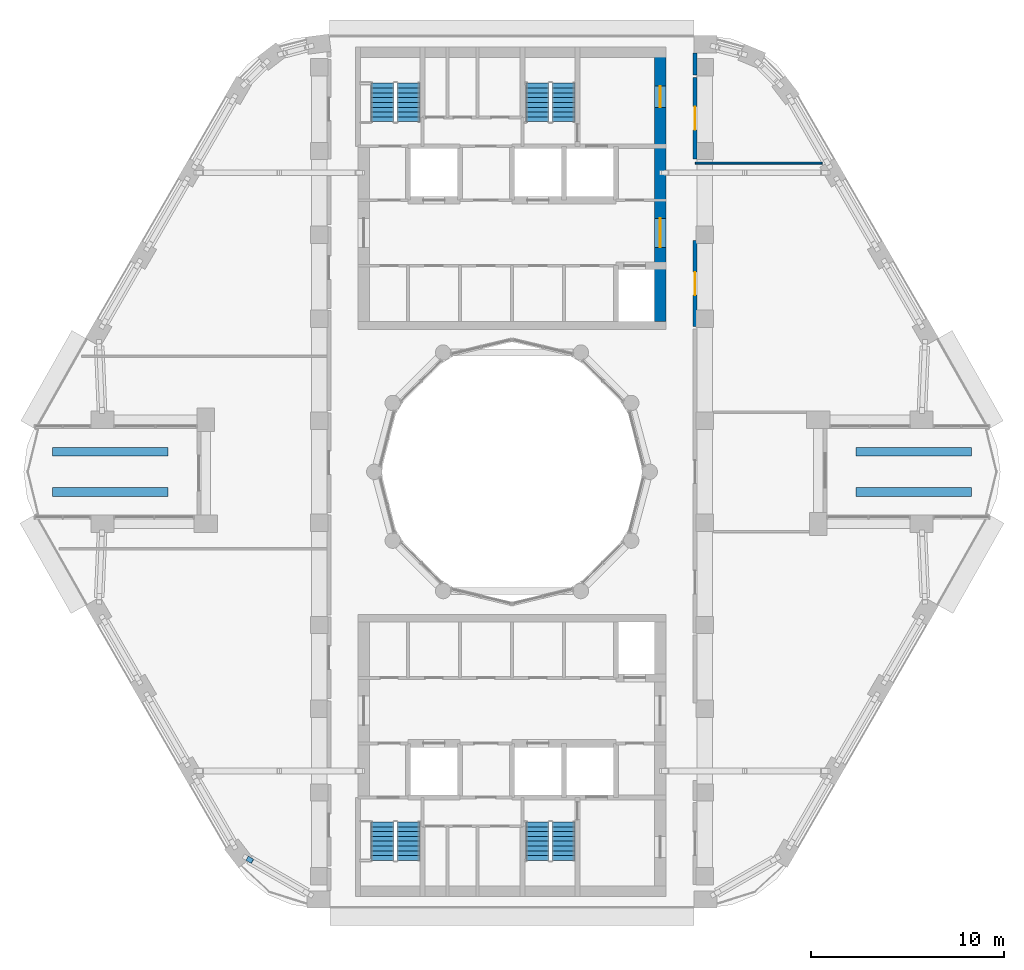
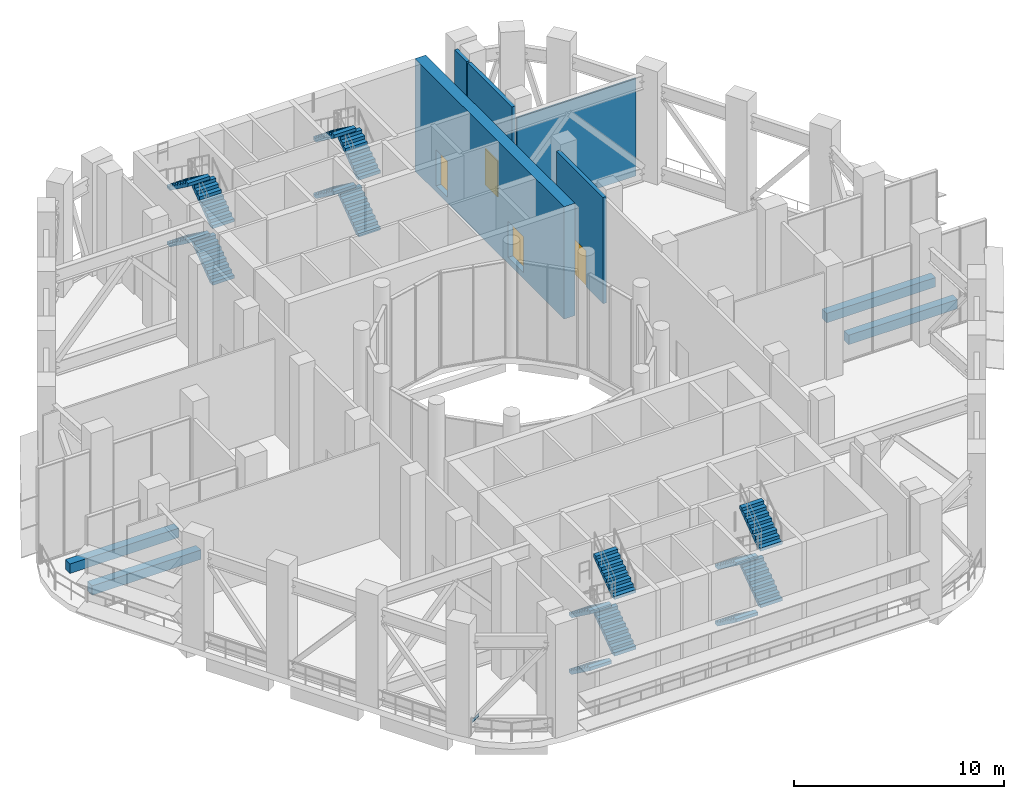
# One storey, part 11 of 19: 16 stair flights, 5 discrete accessories, 5 walls, 4 doors, 4 openings, 4 elements without a shape of their own.
"""IFC4 building model written with IfcOpenShell, lengths in metres."""

from ifc_helpers import new_model, si_unit, direction, frame, frame_2d, origin, origin_2d, place, context, subcontext, project, spatial, polyline, rectangle, outline, extrude, material, layer, layer_set, material_profile, profile_set, type_object, element, fill, aggregate, save


model = new_model("IFC4")

# Units and contexts
model_context = context("Model", 3, precision=1e-05, world=origin(), true_north=direction((0.0, 1.0)))
body_context = subcontext(model_context, "Body", "Model", "MODEL_VIEW")
ifc_project = project(units=[si_unit("LENGTHUNIT", "METRE"), si_unit("AREAUNIT", "SQUARE_METRE"), si_unit("VOLUMEUNIT", "CUBIC_METRE"), si_unit("PLANEANGLEUNIT", "RADIAN"), si_unit("MASSUNIT", "GRAM", prefix="KILO")], contexts=[model_context])

# Site, building, storey
site_placement = place(None, origin())
site = spatial("IfcSite", under=ifc_project, at=site_placement, CompositionType="ELEMENT")
building_placement = place(site_placement, origin())
building = spatial("IfcBuilding", under=site, at=building_placement, Name="Nakaniwa Court", CompositionType="ELEMENT")
storey_placement = place(building_placement, frame((0.0, 0.0, 219.60009765625)))
storey = spatial("IfcBuildingStorey", under=building, at=storey_placement, Name="S4", CompositionType="ELEMENT", Elevation=219.60009765625)

# Wall, opening, door
ifc_material_1 = material(Name="Acoustic double stud partition")
ifc_layer_1 = layer(ifc_material_1, 0.199951171875)
ifc_layer_set_1 = layer_set([ifc_layer_1], Name="Acoustic double stud partition")
wall_type_1 = type_object("IfcWallType", Name="Acoustic double stud partition 200", PredefinedType="PARTITIONING", material=ifc_layer_set_1)
wall_1_placement = place(storey_placement, frame((89.5, 92.0029296875, 0.0), z_axis=(0.0, 0.0, 1.0), x_axis=(0.0, -1.0, 0.0)))
wall_1 = element("IfcWall", 1, at=wall_1_placement, inside=storey, type_object=wall_type_1, Name="Partition PW-069", PredefinedType="PARTITIONING", context=body_context, shape_type="SweptSolid", body=[
    extrude(rectangle(XDim=4.4658203125, YDim=0.199951171875, at=frame_2d((2.23291015625, 0.0))), origin(), (0.0, 0.0, 1.0), 6.18994140625),
])
opening_1_placement = place(wall_1_placement, frame((1.633056640625, 0.0, 0.0)))
opening_1 = element("IfcOpeningElement", 2, at=opening_1_placement, cuts=wall_1, Name="Opening D-35-02", PredefinedType="OPENING", context=body_context, shape_type="SweptSolid", body=[
    extrude(rectangle(XDim=1.199951171875, YDim=2.10009765625, at=frame_2d((0.60009765625, 1.050048828125))), frame((0.0, 0.10986328125, 0.0), z_axis=(0.0, -1.0, 0.0), x_axis=(1.0, 0.0, 0.0)), (0.0, 0.0, 1.0), 0.219970703125),
])
ifc_material_2 = material(Name="Fire rated steel door set", Category="steel")
door_type_1 = type_object("IfcDoorType", Name="Service room door 1200", OperationType="NOTDEFINED", PredefinedType="DOOR", material=ifc_material_2)
door_1_placement = place(opening_1_placement, origin())
door_1 = element("IfcDoor", 3, at=door_1_placement, inside=storey, type_object=door_type_1, Name="Door D-35-02 S4-032", OperationType="SINGLE_SWING_LEFT", OverallHeight=2.10009765625, OverallWidth=1.199951171875, PredefinedType="DOOR", context=body_context, shape_type="SweptSolid", body=[
    extrude(rectangle(XDim=1.199951171875, YDim=2.10009765625, at=frame_2d((0.60009765625, 1.050048828125))), frame((0.0, 0.02490234375, 0.0), z_axis=(0.0, -1.0, 0.0), x_axis=(1.0, 0.0, 0.0)), (0.0, 0.0, 1.0), 0.050048828125),
])
fill(opening_1, door_1)

wall_2_placement = place(storey_placement, frame((89.5, 100.472900390625, 0.0), z_axis=(0.0, 0.0, 1.0), x_axis=(0.0, -1.0, 0.0)))
wall_2 = element("IfcWall", 4, at=wall_2_placement, inside=storey, type_object=wall_type_1, Name="Partition PW-070", PredefinedType="PARTITIONING", context=body_context, shape_type="SweptSolid", body=[
    extrude(rectangle(XDim=4.23583984375, YDim=0.199951171875, at=frame_2d((2.117919921875, 0.0))), origin(), (0.0, 0.0, 1.0), 6.18994140625),
])
opening_2_placement = place(wall_2_placement, frame((1.51806640625, 0.0, 0.0)))
opening_2 = element("IfcOpeningElement", 5, at=opening_2_placement, cuts=wall_2, Name="Opening D-30-03", PredefinedType="OPENING", context=body_context, shape_type="SweptSolid", body=[
    extrude(rectangle(XDim=1.199951171875, YDim=2.10009765625, at=frame_2d((0.60009765625, 1.050048828125))), frame((0.0, 0.10986328125, 0.0), z_axis=(0.0, -1.0, 0.0), x_axis=(1.0, 0.0, 0.0)), (0.0, 0.0, 1.0), 0.219970703125),
])
ifc_material_3 = material(Name="Solid core timber door set, black veneer", Category="wood")
door_type_2 = type_object("IfcDoorType", Name="Internal door 1200", OperationType="NOTDEFINED", PredefinedType="DOOR", material=ifc_material_3)
door_2_placement = place(opening_2_placement, origin())
door_2 = element("IfcDoor", 6, at=door_2_placement, inside=storey, type_object=door_type_2, Name="Door D-30-03 S4-033", OperationType="SINGLE_SWING_RIGHT", OverallHeight=2.10009765625, OverallWidth=1.199951171875, PredefinedType="DOOR", context=body_context, shape_type="SweptSolid", body=[
    extrude(rectangle(XDim=1.199951171875, YDim=2.10009765625, at=frame_2d((0.60009765625, 1.050048828125))), frame((0.0, 0.02490234375, 0.0), z_axis=(0.0, -1.0, 0.0), x_axis=(1.0, 0.0, 0.0)), (0.0, 0.0, 1.0), 0.050048828125),
])
fill(opening_2, door_2)

# Wall
wall_3_placement = place(storey_placement, frame((89.5, 100.5869140625, 0.0), z_axis=(0.0, 0.0, 1.0), x_axis=(0.0, 1.0, 0.0)))
element("IfcWall", 7, at=wall_3_placement, inside=storey, type_object=wall_type_1, Name="Partition PW-071", PredefinedType="PARTITIONING", context=body_context, shape_type="SweptSolid", body=[
    extrude(rectangle(XDim=1.14599609375, YDim=0.199951171875, at=frame_2d((0.572998046875, 0.0))), origin(), (0.0, 0.0, 1.0), 6.18994140625),
])

# Wall, openings, doors
ifc_material_4 = material(Name="Concrete C80/100", Category="concrete")
ifc_layer_2 = layer(ifc_material_4, 0.60009765625)
ifc_layer_set_2 = layer_set([ifc_layer_2], Name="Concrete C80/100")
wall_type_2 = type_object("IfcWallType", Name="Concrete core side wall 600 C80", PredefinedType="SHEAR", material=ifc_layer_set_2)
wall_4_placement = place(storey_placement, frame((87.699951171875, 102.050048828125, -0.35009765625), z_axis=(0.0, 0.0, 1.0), x_axis=(0.0, -1.0, 0.0)))
wall_4 = element("IfcWall", 8, at=wall_4_placement, inside=storey, type_object=wall_type_2, Name="Core wall SW-07", PredefinedType="SHEAR", context=body_context, shape_type="SweptSolid", body=[
    extrude(rectangle(XDim=14.25, YDim=0.60009765625, at=frame_2d((7.125, 0.0))), origin(), (0.0, 0.0, 1.0), 6.5400390625),
])
opening_3_placement = place(wall_4_placement, frame((8.89990234375, 0.0, 0.35009765625)))
opening_3 = element("IfcOpeningElement", 9, at=opening_3_placement, cuts=wall_4, Name="Opening D-07-01", PredefinedType="OPENING", context=body_context, shape_type="SweptSolid", body=[
    extrude(rectangle(XDim=1.5, YDim=2.10009765625, at=frame_2d((0.75, 1.050048828125))), frame((0.0, 0.31005859375, 0.0), z_axis=(0.0, -1.0, 0.0), x_axis=(1.0, 0.0, 0.0)), (0.0, 0.0, 1.0), 0.6201171875),
])
opening_4_placement = place(wall_4_placement, frame((2.02490234375, 0.0, 0.35009765625)))
opening_4 = element("IfcOpeningElement", 10, at=opening_4_placement, cuts=wall_4, Name="Opening D-10-01", PredefinedType="OPENING", context=body_context, shape_type="SweptSolid", body=[
    extrude(rectangle(XDim=1.10009765625, YDim=2.10009765625, at=frame_2d((0.550048828125, 1.050048828125))), frame((0.0, 0.31005859375, 0.0), z_axis=(0.0, -1.0, 0.0), x_axis=(1.0, 0.0, 0.0)), (0.0, 0.0, 1.0), 0.6201171875),
])
door_type_3 = type_object("IfcDoorType", Name="Firefighting lobby door 1100", OperationType="NOTDEFINED", PredefinedType="DOOR", material=ifc_material_2)
door_3_placement = place(opening_4_placement, origin())
door_3 = element("IfcDoor", 11, at=door_3_placement, inside=storey, type_object=door_type_3, Name="Door D-10-01 S4-041", OperationType="SINGLE_SWING_RIGHT", OverallHeight=2.10009765625, OverallWidth=1.10009765625, PredefinedType="DOOR", context=body_context, shape_type="SweptSolid", body=[
    extrude(rectangle(XDim=1.10009765625, YDim=2.10009765625, at=frame_2d((0.550048828125, 1.050048828125))), frame((0.0, 0.02490234375, 0.0), z_axis=(0.0, -1.0, 0.0), x_axis=(1.0, 0.0, 0.0)), (0.0, 0.0, 1.0), 0.050048828125),
])
fill(opening_4, door_3)
ifc_material_5 = material(Name="Glazed fire rated steel double door set", Category="steel")
door_type_4 = type_object("IfcDoorType", Name="Lobby double door 1500", OperationType="NOTDEFINED", PredefinedType="DOOR", material=ifc_material_5)
door_4_placement = place(opening_3_placement, origin())
door_4 = element("IfcDoor", 12, at=door_4_placement, inside=storey, type_object=door_type_4, Name="Door D-07-01 S4-039", OperationType="DOUBLE_DOOR_SINGLE_SWING", OverallHeight=2.10009765625, OverallWidth=1.5, PredefinedType="DOOR", context=body_context, shape_type="SweptSolid", body=[
    extrude(rectangle(XDim=1.5, YDim=2.10009765625, at=frame_2d((0.75, 1.050048828125))), frame((0.0, 0.02490234375, 0.0), z_axis=(0.0, -1.0, 0.0), x_axis=(1.0, 0.0, 0.0)), (0.0, 0.0, 1.0), 0.050048828125),
])
fill(opening_3, door_4)

# Wall
ifc_material_6 = material(Name="Single stud plasterboard partition")
ifc_layer_3 = layer(ifc_material_6, 0.10009765625)
ifc_layer_set_3 = layer_set([ifc_layer_3], Name="Single stud plasterboard partition")
wall_type_3 = type_object("IfcWallType", Name="Single stud plasterboard partition 100", PredefinedType="PARTITIONING", material=ifc_layer_set_3)
wall_5_placement = place(storey_placement, frame((89.52001953125, 96.02490234375, 0.0), z_axis=(0.0, 0.0, 1.0), x_axis=(1.0, 0.0, 0.0)))
element("IfcWall", 13, at=wall_5_placement, inside=storey, type_object=wall_type_3, Name="Partition PW-087", PredefinedType="PARTITIONING", context=body_context, shape_type="SweptSolid", body=[
    extrude(rectangle(XDim=6.5771484375, YDim=0.10009765625, at=frame_2d((3.28857421875, 0.0))), origin(), (0.0, 0.0, 1.0), 5.669921875),
])

# Stair, stair flights
stair_type = type_object("IfcStairType", Name="Dog leg stair 1200 wide 36 risers", PredefinedType="HALF_TURN_STAIR", material=ifc_material_4)
stair_1_placement = place(storey_placement, origin())
stair_1 = element("IfcStair", 14, at=stair_1_placement, inside=storey, type_object=stair_type, Name="S4 Stair ST1", PredefinedType="HALF_TURN_STAIR")
stair_flight_type = type_object("IfcStairFlightType", Name="Stair flight 1200 wide 9 risers", PredefinedType="STRAIGHT", material=ifc_material_4)
stair_flight_1_placement = place(storey_placement, frame((74.625, 98.175048828125, 0.0), z_axis=(0.0, 0.0, 1.0), x_axis=(0.0, 1.0, 0.0)))
stair_flight_1 = element("IfcStairFlight", 15, at=stair_flight_1_placement, type_object=stair_flight_type, Name="ST1 flight 1", NumberOfRisers=9, NumberOfTreads=8, PredefinedType="STRAIGHT", RiserHeight=0.183333333, TreadLength=0.25, context=body_context, shape_type="SweptSolid", body=[
    extrude(outline(polyline([(0.0, 0.0), (0.0, 0.026123046875), (0.0, 0.052490234375), (0.0, 0.07861328125), (0.0, 0.104736328125), (0.0, 0.130859375), (0.0, 0.1572265625), (0.0, 0.183349609375), (0.25, 0.183349609375), (0.25, 0.36669921875), (0.5, 0.36669921875), (0.5, 0.550048828125), (0.75, 0.550048828125), (0.75, 0.7333984375), (1.0, 0.7333984375), (1.0, 0.916748046875), (1.25, 0.916748046875), (1.25, 1.10009765625), (1.5, 1.10009765625), (1.5, 1.283447265625), (1.75, 1.283447265625), (1.75, 1.466552734375), (2.0, 1.466552734375), (2.0, 1.64990234375), (2.0, 1.59716796875), (2.0, 1.54443359375), (2.0, 1.49169921875), (2.0, 1.43896484375), (2.0, 1.38623046875), (2.0, 1.33349609375), (2.0, 1.28076171875), (0.25341796875, 0.0), (0.0, 0.0)])), frame((0.0, 0.60009765625, 0.0), z_axis=(0.0, -1.0, 0.0), x_axis=(1.0, 0.0, 0.0)), (0.0, 0.0, 1.0), 1.199951171875),
])
stair_flight_2_placement = place(storey_placement, frame((73.27490234375, 100.175048828125, 1.64990234375), z_axis=(0.0, 0.0, 1.0), x_axis=(0.0, -1.0, 0.0)))
stair_flight_2 = element("IfcStairFlight", 16, at=stair_flight_2_placement, type_object=stair_flight_type, Name="ST1 flight 2", NumberOfRisers=9, NumberOfTreads=8, PredefinedType="STRAIGHT", RiserHeight=0.183333333, TreadLength=0.25, context=body_context, shape_type="SweptSolid", body=[
    extrude(outline(polyline([(0.0, 0.0), (0.0, 0.026123046875), (0.0, 0.052490234375), (0.0, 0.07861328125), (0.0, 0.104736328125), (0.0, 0.130859375), (0.0, 0.1572265625), (0.0, 0.183349609375), (0.25, 0.183349609375), (0.25, 0.36669921875), (0.5, 0.36669921875), (0.5, 0.550048828125), (0.75, 0.550048828125), (0.75, 0.7333984375), (1.0, 0.7333984375), (1.0, 0.916748046875), (1.25, 0.916748046875), (1.25, 1.10009765625), (1.5, 1.10009765625), (1.5, 1.283447265625), (1.75, 1.283447265625), (1.75, 1.466552734375), (2.0, 1.466552734375), (2.0, 1.64990234375), (2.0, 1.59716796875), (2.0, 1.54443359375), (2.0, 1.49169921875), (2.0, 1.43896484375), (2.0, 1.38623046875), (2.0, 1.33349609375), (2.0, 1.28076171875), (0.25341796875, 0.0), (0.0, 0.0)])), frame((0.0, 0.60009765625, 0.0), z_axis=(0.0, -1.0, 0.0), x_axis=(1.0, 0.0, 0.0)), (0.0, 0.0, 1.0), 1.199951171875),
])
stair_flight_3_placement = place(storey_placement, frame((74.625, 98.175048828125, 3.2998046875), z_axis=(0.0, 0.0, 1.0), x_axis=(0.0, 1.0, 0.0)))
stair_flight_3 = element("IfcStairFlight", 17, at=stair_flight_3_placement, type_object=stair_flight_type, Name="ST1 flight 3", NumberOfRisers=9, NumberOfTreads=8, PredefinedType="STRAIGHT", RiserHeight=0.183333333, TreadLength=0.25, context=body_context, shape_type="SweptSolid", body=[
    extrude(outline(polyline([(0.0, 0.0), (0.0, 0.026123046875), (0.0, 0.052490234375), (0.0, 0.07861328125), (0.0, 0.104736328125), (0.0, 0.130859375), (0.0, 0.1572265625), (0.0, 0.183349609375), (0.25, 0.183349609375), (0.25, 0.36669921875), (0.5, 0.36669921875), (0.5, 0.550048828125), (0.75, 0.550048828125), (0.75, 0.7333984375), (1.0, 0.7333984375), (1.0, 0.916748046875), (1.25, 0.916748046875), (1.25, 1.10009765625), (1.5, 1.10009765625), (1.5, 1.283447265625), (1.75, 1.283447265625), (1.75, 1.466552734375), (2.0, 1.466552734375), (2.0, 1.64990234375), (2.0, 1.59716796875), (2.0, 1.54443359375), (2.0, 1.49169921875), (2.0, 1.43896484375), (2.0, 1.38623046875), (2.0, 1.33349609375), (2.0, 1.28076171875), (0.25341796875, 0.0), (0.0, 0.0)])), frame((0.0, 0.60009765625, 0.0), z_axis=(0.0, -1.0, 0.0), x_axis=(1.0, 0.0, 0.0)), (0.0, 0.0, 1.0), 1.199951171875),
])
stair_flight_4_placement = place(storey_placement, frame((73.27490234375, 100.175048828125, 4.949951171875), z_axis=(0.0, 0.0, 1.0), x_axis=(0.0, -1.0, 0.0)))
stair_flight_4 = element("IfcStairFlight", 18, at=stair_flight_4_placement, type_object=stair_flight_type, Name="ST1 flight 4", NumberOfRisers=9, NumberOfTreads=8, PredefinedType="STRAIGHT", RiserHeight=0.183333333, TreadLength=0.25, context=body_context, shape_type="SweptSolid", body=[
    extrude(outline(polyline([(0.0, 0.0), (0.0, 0.026123046875), (0.0, 0.052490234375), (0.0, 0.07861328125), (0.0, 0.104736328125), (0.0, 0.130859375), (0.0, 0.1572265625), (0.0, 0.183349609375), (0.25, 0.183349609375), (0.25, 0.36669921875), (0.5, 0.36669921875), (0.5, 0.550048828125), (0.75, 0.550048828125), (0.75, 0.7333984375), (1.0, 0.7333984375), (1.0, 0.916748046875), (1.25, 0.916748046875), (1.25, 1.10009765625), (1.5, 1.10009765625), (1.5, 1.283447265625), (1.75, 1.283447265625), (1.75, 1.466552734375), (2.0, 1.466552734375), (2.0, 1.64990234375), (2.0, 1.59716796875), (2.0, 1.54443359375), (2.0, 1.49169921875), (2.0, 1.43896484375), (2.0, 1.38623046875), (2.0, 1.33349609375), (2.0, 1.28076171875), (0.25341796875, 0.0), (0.0, 0.0)])), frame((0.0, 0.60009765625, 0.0), z_axis=(0.0, -1.0, 0.0), x_axis=(1.0, 0.0, 0.0)), (0.0, 0.0, 1.0), 1.199951171875),
])
aggregate(stair_1, [stair_flight_1, stair_flight_2, stair_flight_3, stair_flight_4])

stair_2_placement = place(storey_placement, origin())
stair_2 = element("IfcStair", 19, at=stair_2_placement, inside=storey, type_object=stair_type, Name="S4 Stair ST2", PredefinedType="HALF_TURN_STAIR")
stair_flight_5_placement = place(storey_placement, frame((82.675048828125, 98.175048828125, 0.0), z_axis=(0.0, 0.0, 1.0), x_axis=(0.0, 1.0, 0.0)))
stair_flight_5 = element("IfcStairFlight", 20, at=stair_flight_5_placement, type_object=stair_flight_type, Name="ST2 flight 1", NumberOfRisers=9, NumberOfTreads=8, PredefinedType="STRAIGHT", RiserHeight=0.183333333, TreadLength=0.25, context=body_context, shape_type="SweptSolid", body=[
    extrude(outline(polyline([(0.0, 0.0), (0.0, 0.026123046875), (0.0, 0.052490234375), (0.0, 0.07861328125), (0.0, 0.104736328125), (0.0, 0.130859375), (0.0, 0.1572265625), (0.0, 0.183349609375), (0.25, 0.183349609375), (0.25, 0.36669921875), (0.5, 0.36669921875), (0.5, 0.550048828125), (0.75, 0.550048828125), (0.75, 0.7333984375), (1.0, 0.7333984375), (1.0, 0.916748046875), (1.25, 0.916748046875), (1.25, 1.10009765625), (1.5, 1.10009765625), (1.5, 1.283447265625), (1.75, 1.283447265625), (1.75, 1.466552734375), (2.0, 1.466552734375), (2.0, 1.64990234375), (2.0, 1.59716796875), (2.0, 1.54443359375), (2.0, 1.49169921875), (2.0, 1.43896484375), (2.0, 1.38623046875), (2.0, 1.33349609375), (2.0, 1.28076171875), (0.25341796875, 0.0), (0.0, 0.0)])), frame((0.0, 0.60009765625, 0.0), z_axis=(0.0, -1.0, 0.0), x_axis=(1.0, 0.0, 0.0)), (0.0, 0.0, 1.0), 1.199951171875),
])
stair_flight_6_placement = place(storey_placement, frame((81.324951171875, 100.175048828125, 1.64990234375), z_axis=(0.0, 0.0, 1.0), x_axis=(0.0, -1.0, 0.0)))
stair_flight_6 = element("IfcStairFlight", 21, at=stair_flight_6_placement, type_object=stair_flight_type, Name="ST2 flight 2", NumberOfRisers=9, NumberOfTreads=8, PredefinedType="STRAIGHT", RiserHeight=0.183333333, TreadLength=0.25, context=body_context, shape_type="SweptSolid", body=[
    extrude(outline(polyline([(0.0, 0.0), (0.0, 0.026123046875), (0.0, 0.052490234375), (0.0, 0.07861328125), (0.0, 0.104736328125), (0.0, 0.130859375), (0.0, 0.1572265625), (0.0, 0.183349609375), (0.25, 0.183349609375), (0.25, 0.36669921875), (0.5, 0.36669921875), (0.5, 0.550048828125), (0.75, 0.550048828125), (0.75, 0.7333984375), (1.0, 0.7333984375), (1.0, 0.916748046875), (1.25, 0.916748046875), (1.25, 1.10009765625), (1.5, 1.10009765625), (1.5, 1.283447265625), (1.75, 1.283447265625), (1.75, 1.466552734375), (2.0, 1.466552734375), (2.0, 1.64990234375), (2.0, 1.59716796875), (2.0, 1.54443359375), (2.0, 1.49169921875), (2.0, 1.43896484375), (2.0, 1.38623046875), (2.0, 1.33349609375), (2.0, 1.28076171875), (0.25341796875, 0.0), (0.0, 0.0)])), frame((0.0, 0.60009765625, 0.0), z_axis=(0.0, -1.0, 0.0), x_axis=(1.0, 0.0, 0.0)), (0.0, 0.0, 1.0), 1.199951171875),
])
stair_flight_7_placement = place(storey_placement, frame((82.675048828125, 98.175048828125, 3.2998046875), z_axis=(0.0, 0.0, 1.0), x_axis=(0.0, 1.0, 0.0)))
stair_flight_7 = element("IfcStairFlight", 22, at=stair_flight_7_placement, type_object=stair_flight_type, Name="ST2 flight 3", NumberOfRisers=9, NumberOfTreads=8, PredefinedType="STRAIGHT", RiserHeight=0.183333333, TreadLength=0.25, context=body_context, shape_type="SweptSolid", body=[
    extrude(outline(polyline([(0.0, 0.0), (0.0, 0.026123046875), (0.0, 0.052490234375), (0.0, 0.07861328125), (0.0, 0.104736328125), (0.0, 0.130859375), (0.0, 0.1572265625), (0.0, 0.183349609375), (0.25, 0.183349609375), (0.25, 0.36669921875), (0.5, 0.36669921875), (0.5, 0.550048828125), (0.75, 0.550048828125), (0.75, 0.7333984375), (1.0, 0.7333984375), (1.0, 0.916748046875), (1.25, 0.916748046875), (1.25, 1.10009765625), (1.5, 1.10009765625), (1.5, 1.283447265625), (1.75, 1.283447265625), (1.75, 1.466552734375), (2.0, 1.466552734375), (2.0, 1.64990234375), (2.0, 1.59716796875), (2.0, 1.54443359375), (2.0, 1.49169921875), (2.0, 1.43896484375), (2.0, 1.38623046875), (2.0, 1.33349609375), (2.0, 1.28076171875), (0.25341796875, 0.0), (0.0, 0.0)])), frame((0.0, 0.60009765625, 0.0), z_axis=(0.0, -1.0, 0.0), x_axis=(1.0, 0.0, 0.0)), (0.0, 0.0, 1.0), 1.199951171875),
])
stair_flight_8_placement = place(storey_placement, frame((81.324951171875, 100.175048828125, 4.949951171875), z_axis=(0.0, 0.0, 1.0), x_axis=(0.0, -1.0, 0.0)))
stair_flight_8 = element("IfcStairFlight", 23, at=stair_flight_8_placement, type_object=stair_flight_type, Name="ST2 flight 4", NumberOfRisers=9, NumberOfTreads=8, PredefinedType="STRAIGHT", RiserHeight=0.183333333, TreadLength=0.25, context=body_context, shape_type="SweptSolid", body=[
    extrude(outline(polyline([(0.0, 0.0), (0.0, 0.026123046875), (0.0, 0.052490234375), (0.0, 0.07861328125), (0.0, 0.104736328125), (0.0, 0.130859375), (0.0, 0.1572265625), (0.0, 0.183349609375), (0.25, 0.183349609375), (0.25, 0.36669921875), (0.5, 0.36669921875), (0.5, 0.550048828125), (0.75, 0.550048828125), (0.75, 0.7333984375), (1.0, 0.7333984375), (1.0, 0.916748046875), (1.25, 0.916748046875), (1.25, 1.10009765625), (1.5, 1.10009765625), (1.5, 1.283447265625), (1.75, 1.283447265625), (1.75, 1.466552734375), (2.0, 1.466552734375), (2.0, 1.64990234375), (2.0, 1.59716796875), (2.0, 1.54443359375), (2.0, 1.49169921875), (2.0, 1.43896484375), (2.0, 1.38623046875), (2.0, 1.33349609375), (2.0, 1.28076171875), (0.25341796875, 0.0), (0.0, 0.0)])), frame((0.0, 0.60009765625, 0.0), z_axis=(0.0, -1.0, 0.0), x_axis=(1.0, 0.0, 0.0)), (0.0, 0.0, 1.0), 1.199951171875),
])
aggregate(stair_2, [stair_flight_5, stair_flight_6, stair_flight_7, stair_flight_8])

stair_3_placement = place(storey_placement, origin())
stair_3 = element("IfcStair", 24, at=stair_3_placement, inside=storey, type_object=stair_type, Name="S4 Stair ST3", PredefinedType="HALF_TURN_STAIR")
stair_flight_9_placement = place(storey_placement, frame((73.27490234375, 61.824951171875, 0.0), z_axis=(0.0, 0.0, 1.0), x_axis=(0.0, -1.0, 0.0)))
stair_flight_9 = element("IfcStairFlight", 25, at=stair_flight_9_placement, type_object=stair_flight_type, Name="ST3 flight 1", NumberOfRisers=9, NumberOfTreads=8, PredefinedType="STRAIGHT", RiserHeight=0.183333333, TreadLength=0.25, context=body_context, shape_type="SweptSolid", body=[
    extrude(outline(polyline([(0.0, 0.0), (0.0, 0.026123046875), (0.0, 0.052490234375), (0.0, 0.07861328125), (0.0, 0.104736328125), (0.0, 0.130859375), (0.0, 0.1572265625), (0.0, 0.183349609375), (0.25, 0.183349609375), (0.25, 0.36669921875), (0.5, 0.36669921875), (0.5, 0.550048828125), (0.75, 0.550048828125), (0.75, 0.7333984375), (1.0, 0.7333984375), (1.0, 0.916748046875), (1.25, 0.916748046875), (1.25, 1.10009765625), (1.5, 1.10009765625), (1.5, 1.283447265625), (1.75, 1.283447265625), (1.75, 1.466552734375), (2.0, 1.466552734375), (2.0, 1.64990234375), (2.0, 1.59716796875), (2.0, 1.54443359375), (2.0, 1.49169921875), (2.0, 1.43896484375), (2.0, 1.38623046875), (2.0, 1.33349609375), (2.0, 1.28076171875), (0.25341796875, 0.0), (0.0, 0.0)])), frame((0.0, 0.60009765625, 0.0), z_axis=(0.0, -1.0, 0.0), x_axis=(1.0, 0.0, 0.0)), (0.0, 0.0, 1.0), 1.199951171875),
])
stair_flight_10_placement = place(storey_placement, frame((74.625, 59.824951171875, 1.64990234375), z_axis=(0.0, 0.0, 1.0), x_axis=(0.0, 1.0, 0.0)))
stair_flight_10 = element("IfcStairFlight", 26, at=stair_flight_10_placement, type_object=stair_flight_type, Name="ST3 flight 2", NumberOfRisers=9, NumberOfTreads=8, PredefinedType="STRAIGHT", RiserHeight=0.183333333, TreadLength=0.25, context=body_context, shape_type="SweptSolid", body=[
    extrude(outline(polyline([(0.0, 0.0), (0.0, 0.026123046875), (0.0, 0.052490234375), (0.0, 0.07861328125), (0.0, 0.104736328125), (0.0, 0.130859375), (0.0, 0.1572265625), (0.0, 0.183349609375), (0.25, 0.183349609375), (0.25, 0.36669921875), (0.5, 0.36669921875), (0.5, 0.550048828125), (0.75, 0.550048828125), (0.75, 0.7333984375), (1.0, 0.7333984375), (1.0, 0.916748046875), (1.25, 0.916748046875), (1.25, 1.10009765625), (1.5, 1.10009765625), (1.5, 1.283447265625), (1.75, 1.283447265625), (1.75, 1.466552734375), (2.0, 1.466552734375), (2.0, 1.64990234375), (2.0, 1.59716796875), (2.0, 1.54443359375), (2.0, 1.49169921875), (2.0, 1.43896484375), (2.0, 1.38623046875), (2.0, 1.33349609375), (2.0, 1.28076171875), (0.25341796875, 0.0), (0.0, 0.0)])), frame((0.0, 0.60009765625, 0.0), z_axis=(0.0, -1.0, 0.0), x_axis=(1.0, 0.0, 0.0)), (0.0, 0.0, 1.0), 1.199951171875),
])
stair_flight_11_placement = place(storey_placement, frame((73.27490234375, 61.824951171875, 3.2998046875), z_axis=(0.0, 0.0, 1.0), x_axis=(0.0, -1.0, 0.0)))
stair_flight_11 = element("IfcStairFlight", 27, at=stair_flight_11_placement, type_object=stair_flight_type, Name="ST3 flight 3", NumberOfRisers=9, NumberOfTreads=8, PredefinedType="STRAIGHT", RiserHeight=0.183333333, TreadLength=0.25, context=body_context, shape_type="SweptSolid", body=[
    extrude(outline(polyline([(0.0, 0.0), (0.0, 0.026123046875), (0.0, 0.052490234375), (0.0, 0.07861328125), (0.0, 0.104736328125), (0.0, 0.130859375), (0.0, 0.1572265625), (0.0, 0.183349609375), (0.25, 0.183349609375), (0.25, 0.36669921875), (0.5, 0.36669921875), (0.5, 0.550048828125), (0.75, 0.550048828125), (0.75, 0.7333984375), (1.0, 0.7333984375), (1.0, 0.916748046875), (1.25, 0.916748046875), (1.25, 1.10009765625), (1.5, 1.10009765625), (1.5, 1.283447265625), (1.75, 1.283447265625), (1.75, 1.466552734375), (2.0, 1.466552734375), (2.0, 1.64990234375), (2.0, 1.59716796875), (2.0, 1.54443359375), (2.0, 1.49169921875), (2.0, 1.43896484375), (2.0, 1.38623046875), (2.0, 1.33349609375), (2.0, 1.28076171875), (0.25341796875, 0.0), (0.0, 0.0)])), frame((0.0, 0.60009765625, 0.0), z_axis=(0.0, -1.0, 0.0), x_axis=(1.0, 0.0, 0.0)), (0.0, 0.0, 1.0), 1.199951171875),
])
stair_flight_12_placement = place(storey_placement, frame((74.625, 59.824951171875, 4.949951171875), z_axis=(0.0, 0.0, 1.0), x_axis=(0.0, 1.0, 0.0)))
stair_flight_12 = element("IfcStairFlight", 28, at=stair_flight_12_placement, type_object=stair_flight_type, Name="ST3 flight 4", NumberOfRisers=9, NumberOfTreads=8, PredefinedType="STRAIGHT", RiserHeight=0.183333333, TreadLength=0.25, context=body_context, shape_type="SweptSolid", body=[
    extrude(outline(polyline([(0.0, 0.0), (0.0, 0.026123046875), (0.0, 0.052490234375), (0.0, 0.07861328125), (0.0, 0.104736328125), (0.0, 0.130859375), (0.0, 0.1572265625), (0.0, 0.183349609375), (0.25, 0.183349609375), (0.25, 0.36669921875), (0.5, 0.36669921875), (0.5, 0.550048828125), (0.75, 0.550048828125), (0.75, 0.7333984375), (1.0, 0.7333984375), (1.0, 0.916748046875), (1.25, 0.916748046875), (1.25, 1.10009765625), (1.5, 1.10009765625), (1.5, 1.283447265625), (1.75, 1.283447265625), (1.75, 1.466552734375), (2.0, 1.466552734375), (2.0, 1.64990234375), (2.0, 1.59716796875), (2.0, 1.54443359375), (2.0, 1.49169921875), (2.0, 1.43896484375), (2.0, 1.38623046875), (2.0, 1.33349609375), (2.0, 1.28076171875), (0.25341796875, 0.0), (0.0, 0.0)])), frame((0.0, 0.60009765625, 0.0), z_axis=(0.0, -1.0, 0.0), x_axis=(1.0, 0.0, 0.0)), (0.0, 0.0, 1.0), 1.199951171875),
])
aggregate(stair_3, [stair_flight_9, stair_flight_10, stair_flight_11, stair_flight_12])

stair_4_placement = place(storey_placement, origin())
stair_4 = element("IfcStair", 29, at=stair_4_placement, inside=storey, type_object=stair_type, Name="S4 Stair ST4", PredefinedType="HALF_TURN_STAIR")
stair_flight_13_placement = place(storey_placement, frame((81.324951171875, 61.824951171875, 0.0), z_axis=(0.0, 0.0, 1.0), x_axis=(0.0, -1.0, 0.0)))
stair_flight_13 = element("IfcStairFlight", 30, at=stair_flight_13_placement, type_object=stair_flight_type, Name="ST4 flight 1", NumberOfRisers=9, NumberOfTreads=8, PredefinedType="STRAIGHT", RiserHeight=0.183333333, TreadLength=0.25, context=body_context, shape_type="SweptSolid", body=[
    extrude(outline(polyline([(0.0, 0.0), (0.0, 0.026123046875), (0.0, 0.052490234375), (0.0, 0.07861328125), (0.0, 0.104736328125), (0.0, 0.130859375), (0.0, 0.1572265625), (0.0, 0.183349609375), (0.25, 0.183349609375), (0.25, 0.36669921875), (0.5, 0.36669921875), (0.5, 0.550048828125), (0.75, 0.550048828125), (0.75, 0.7333984375), (1.0, 0.7333984375), (1.0, 0.916748046875), (1.25, 0.916748046875), (1.25, 1.10009765625), (1.5, 1.10009765625), (1.5, 1.283447265625), (1.75, 1.283447265625), (1.75, 1.466552734375), (2.0, 1.466552734375), (2.0, 1.64990234375), (2.0, 1.59716796875), (2.0, 1.54443359375), (2.0, 1.49169921875), (2.0, 1.43896484375), (2.0, 1.38623046875), (2.0, 1.33349609375), (2.0, 1.28076171875), (0.25341796875, 0.0), (0.0, 0.0)])), frame((0.0, 0.60009765625, 0.0), z_axis=(0.0, -1.0, 0.0), x_axis=(1.0, 0.0, 0.0)), (0.0, 0.0, 1.0), 1.199951171875),
])
stair_flight_14_placement = place(storey_placement, frame((82.675048828125, 59.824951171875, 1.64990234375), z_axis=(0.0, 0.0, 1.0), x_axis=(0.0, 1.0, 0.0)))
stair_flight_14 = element("IfcStairFlight", 31, at=stair_flight_14_placement, type_object=stair_flight_type, Name="ST4 flight 2", NumberOfRisers=9, NumberOfTreads=8, PredefinedType="STRAIGHT", RiserHeight=0.183333333, TreadLength=0.25, context=body_context, shape_type="SweptSolid", body=[
    extrude(outline(polyline([(0.0, 0.0), (0.0, 0.026123046875), (0.0, 0.052490234375), (0.0, 0.07861328125), (0.0, 0.104736328125), (0.0, 0.130859375), (0.0, 0.1572265625), (0.0, 0.183349609375), (0.25, 0.183349609375), (0.25, 0.36669921875), (0.5, 0.36669921875), (0.5, 0.550048828125), (0.75, 0.550048828125), (0.75, 0.7333984375), (1.0, 0.7333984375), (1.0, 0.916748046875), (1.25, 0.916748046875), (1.25, 1.10009765625), (1.5, 1.10009765625), (1.5, 1.283447265625), (1.75, 1.283447265625), (1.75, 1.466552734375), (2.0, 1.466552734375), (2.0, 1.64990234375), (2.0, 1.59716796875), (2.0, 1.54443359375), (2.0, 1.49169921875), (2.0, 1.43896484375), (2.0, 1.38623046875), (2.0, 1.33349609375), (2.0, 1.28076171875), (0.25341796875, 0.0), (0.0, 0.0)])), frame((0.0, 0.60009765625, 0.0), z_axis=(0.0, -1.0, 0.0), x_axis=(1.0, 0.0, 0.0)), (0.0, 0.0, 1.0), 1.199951171875),
])
stair_flight_15_placement = place(storey_placement, frame((81.324951171875, 61.824951171875, 3.2998046875), z_axis=(0.0, 0.0, 1.0), x_axis=(0.0, -1.0, 0.0)))
stair_flight_15 = element("IfcStairFlight", 32, at=stair_flight_15_placement, type_object=stair_flight_type, Name="ST4 flight 3", NumberOfRisers=9, NumberOfTreads=8, PredefinedType="STRAIGHT", RiserHeight=0.183333333, TreadLength=0.25, context=body_context, shape_type="SweptSolid", body=[
    extrude(outline(polyline([(0.0, 0.0), (0.0, 0.026123046875), (0.0, 0.052490234375), (0.0, 0.07861328125), (0.0, 0.104736328125), (0.0, 0.130859375), (0.0, 0.1572265625), (0.0, 0.183349609375), (0.25, 0.183349609375), (0.25, 0.36669921875), (0.5, 0.36669921875), (0.5, 0.550048828125), (0.75, 0.550048828125), (0.75, 0.7333984375), (1.0, 0.7333984375), (1.0, 0.916748046875), (1.25, 0.916748046875), (1.25, 1.10009765625), (1.5, 1.10009765625), (1.5, 1.283447265625), (1.75, 1.283447265625), (1.75, 1.466552734375), (2.0, 1.466552734375), (2.0, 1.64990234375), (2.0, 1.59716796875), (2.0, 1.54443359375), (2.0, 1.49169921875), (2.0, 1.43896484375), (2.0, 1.38623046875), (2.0, 1.33349609375), (2.0, 1.28076171875), (0.25341796875, 0.0), (0.0, 0.0)])), frame((0.0, 0.60009765625, 0.0), z_axis=(0.0, -1.0, 0.0), x_axis=(1.0, 0.0, 0.0)), (0.0, 0.0, 1.0), 1.199951171875),
])
stair_flight_16_placement = place(storey_placement, frame((82.675048828125, 59.824951171875, 4.949951171875), z_axis=(0.0, 0.0, 1.0), x_axis=(0.0, 1.0, 0.0)))
stair_flight_16 = element("IfcStairFlight", 33, at=stair_flight_16_placement, type_object=stair_flight_type, Name="ST4 flight 4", NumberOfRisers=9, NumberOfTreads=8, PredefinedType="STRAIGHT", RiserHeight=0.183333333, TreadLength=0.25, context=body_context, shape_type="SweptSolid", body=[
    extrude(outline(polyline([(0.0, 0.0), (0.0, 0.026123046875), (0.0, 0.052490234375), (0.0, 0.07861328125), (0.0, 0.104736328125), (0.0, 0.130859375), (0.0, 0.1572265625), (0.0, 0.183349609375), (0.25, 0.183349609375), (0.25, 0.36669921875), (0.5, 0.36669921875), (0.5, 0.550048828125), (0.75, 0.550048828125), (0.75, 0.7333984375), (1.0, 0.7333984375), (1.0, 0.916748046875), (1.25, 0.916748046875), (1.25, 1.10009765625), (1.5, 1.10009765625), (1.5, 1.283447265625), (1.75, 1.283447265625), (1.75, 1.466552734375), (2.0, 1.466552734375), (2.0, 1.64990234375), (2.0, 1.59716796875), (2.0, 1.54443359375), (2.0, 1.49169921875), (2.0, 1.43896484375), (2.0, 1.38623046875), (2.0, 1.33349609375), (2.0, 1.28076171875), (0.25341796875, 0.0), (0.0, 0.0)])), frame((0.0, 0.60009765625, 0.0), z_axis=(0.0, -1.0, 0.0), x_axis=(1.0, 0.0, 0.0)), (0.0, 0.0, 1.0), 1.199951171875),
])
aggregate(stair_4, [stair_flight_13, stair_flight_14, stair_flight_15, stair_flight_16])

# Discrete accessories
ifc_material_7 = material(Name="Precast concrete C40/50 planter with planted soil", Category="concrete")
discrete_accessory_type_1 = type_object("IfcDiscreteAccessoryType", Name="Planter box charcoal concrete", PredefinedType="USERDEFINED", material=ifc_material_7)
for number, where, z_axis, x_axis, name in (
    (34, (59.150390625, 78.949951171875, 0.0), (0.0, 0.0, 1.0), (1.0, 0.0, 0.0), "S4 sky garden PLANTER 1.1"),
    (35, (59.150390625, 81.050048828125, 0.0), (0.0, 0.0, 1.0), (1.0, 0.0, 0.0), "S4 sky garden PLANTER 1.2"),
    (36, (100.849609375, 78.949951171875, 0.0), (0.0, 0.0, 1.0), (1.0, 0.0, 0.0), "S4 sky garden PLANTER 2.1"),
    (37, (100.849609375, 81.050048828125, 0.0), (0.0, 0.0, 1.0), (1.0, 0.0, 0.0), "S4 sky garden PLANTER 2.2"),
):
    element("IfcDiscreteAccessory", number, at=place(storey_placement, frame(where, z_axis=z_axis, x_axis=x_axis)), inside=storey, type_object=discrete_accessory_type_1, Name=name, ObjectType="PLANTER", PredefinedType="USERDEFINED", context=body_context, shape_type="SweptSolid", body=[
        extrude(rectangle(XDim=6.0, YDim=0.449951171875, at=origin_2d()), origin(), (0.0, 0.0, 1.0), 0.550048828125),
    ])
ifc_material_8 = material(Name="Steel Grade 350", Category="steel")
ifc_material_profile = material_profile(ifc_material_8, rectangle(XDim=0.25, YDim=0.02001953125, at=origin_2d()), Name="Truss end gusset plate 250x20")
ifc_profile_set = profile_set([ifc_material_profile], Name="Steel Grade 350")
discrete_accessory_type_2 = type_object("IfcDiscreteAccessoryType", Name="Truss end gusset plate 250x20", PredefinedType="BRACKET", material=ifc_profile_set)
discrete_accessory_placement = place(storey_placement, frame((66.52783203125, 59.778564453125, 0.908203125), z_axis=(-0.546587638791, 0.315545678873, -0.775675755496), x_axis=(-0.499968102766, -0.866043818878, 0.0)))
element("IfcDiscreteAccessory", 38, at=discrete_accessory_placement, inside=storey, type_object=discrete_accessory_type_2, Name="Gusset plate GU-511", PredefinedType="BRACKET", context=body_context, shape_type="SweptSolid", body=[
    extrude(rectangle(XDim=0.25, YDim=0.02001953125, at=origin_2d()), origin(), (0.0, 0.0, 1.0), 0.499755859375),
])

save(model, "model.ifc")
